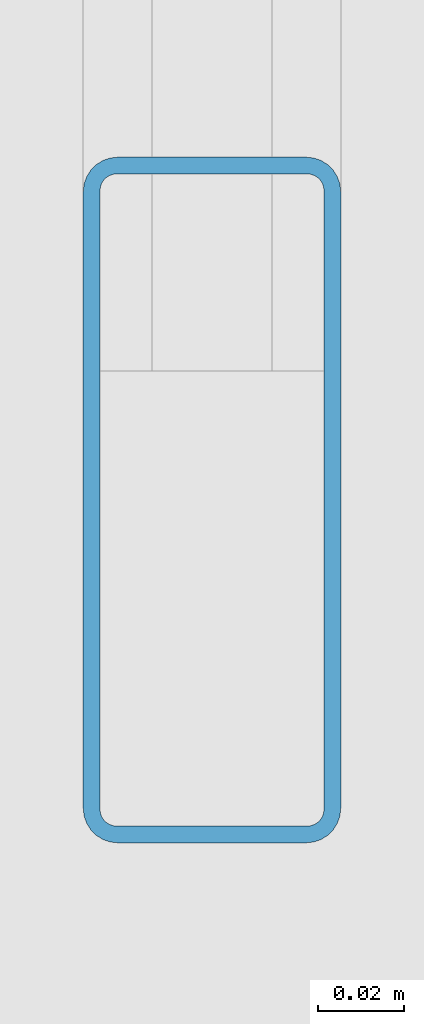
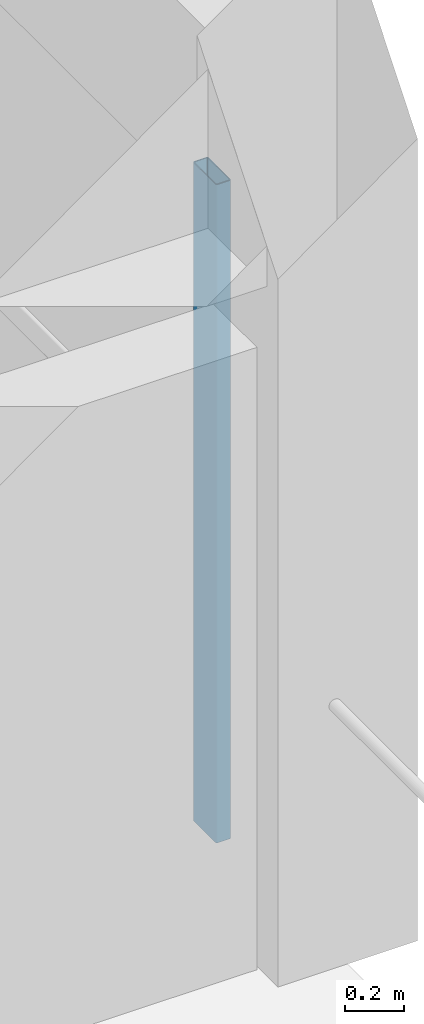
# One storey, part 8 of 101: 1 member, 1 element without a shape of its own.
"""IFC4 building model written with IfcOpenShell, lengths in metres."""

from ifc_helpers import new_model, si_unit, direction, frame, origin, origin_2d, place, context, subcontext, project, spatial, hollow_rectangle, extrude, material, material_profile, profile_set, type_object, element, aggregate, save


model = new_model("IFC4")

# Units and contexts
model_context = context("Model", 3, precision=1e-05, world=origin(), true_north=direction((0.0, 1.0)))
body_context = subcontext(model_context, "Body", "Model", "MODEL_VIEW")
ifc_project = project(units=[si_unit("LENGTHUNIT", "METRE"), si_unit("AREAUNIT", "SQUARE_METRE"), si_unit("VOLUMEUNIT", "CUBIC_METRE"), si_unit("PLANEANGLEUNIT", "RADIAN"), si_unit("MASSUNIT", "GRAM", prefix="KILO")], contexts=[model_context])

# Site, building, storey
site_placement = place(None, origin())
site = spatial("IfcSite", under=ifc_project, at=site_placement, CompositionType="ELEMENT")
building_placement = place(site_placement, origin())
building = spatial("IfcBuilding", under=site, at=building_placement, Name="Qasida Concert Hall", CompositionType="ELEMENT")
storey_placement = place(building_placement, frame((0.0, 0.0, 13.199951171875)))
storey = spatial("IfcBuildingStorey", under=building, at=storey_placement, Name="L03", CompositionType="ELEMENT", Elevation=13.199951171875)

# Curtain wall, member
ifc_material_1 = material(Name="Architectural bronze-anodized aluminium and low-E glass", Category="aluminium")
curtain_wall_type = type_object("IfcCurtainWallType", Name="CW-09", PredefinedType="NOTDEFINED", material=ifc_material_1)
curtain_wall_placement = place(storey_placement, origin())
curtain_wall = element("IfcCurtainWall", 1, at=curtain_wall_placement, inside=storey, type_object=curtain_wall_type, Name="L03 curtain wall CW-09 0125", PredefinedType="NOTDEFINED")
ifc_material_2 = material(Name="Architectural bronze-anodized aluminium EN AW-6063", Category="aluminium")
ifc_material_profile = material_profile(ifc_material_2, hollow_rectangle(XDim=0.06005859375, YDim=0.159912109375, WallThickness=0.00390625, InnerFilletRadius=0.00390625, OuterFilletRadius=0.008056640625, at=origin_2d()), Name="CWM 160x60x4")
ifc_profile_set = profile_set([ifc_material_profile], Name="Architectural bronze-anodized aluminium EN AW-6063")
member_type = type_object("IfcMemberType", Name="MB-CWM-3", PredefinedType="MULLION", material=ifc_profile_set)
member_placement = place(storey_placement, frame((37.5, 15.64990234375, 0.0), z_axis=(0.0, 0.0, 1.0), x_axis=(-1.0, 0.0, 0.0)))
member = element("IfcMember", 2, at=member_placement, type_object=member_type, Name="CW-09 mullion 1", PredefinedType="MULLION", context=body_context, shape_type="SweptSolid", body=[
    extrude(hollow_rectangle(XDim=0.06005859375, YDim=0.159912109375, WallThickness=0.00390625, InnerFilletRadius=0.00390625, OuterFilletRadius=0.008056640625, at=origin_2d()), origin(), (0.0, 0.0, 1.0), 2.739990234375),
])
aggregate(curtain_wall, [member])

save(model, "model.ifc")
